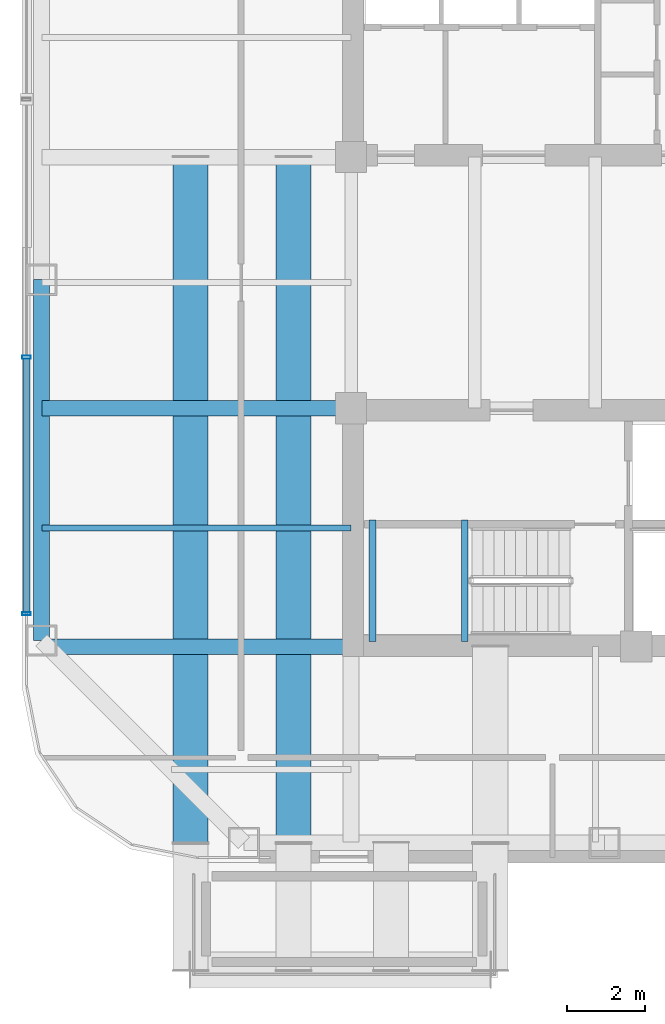
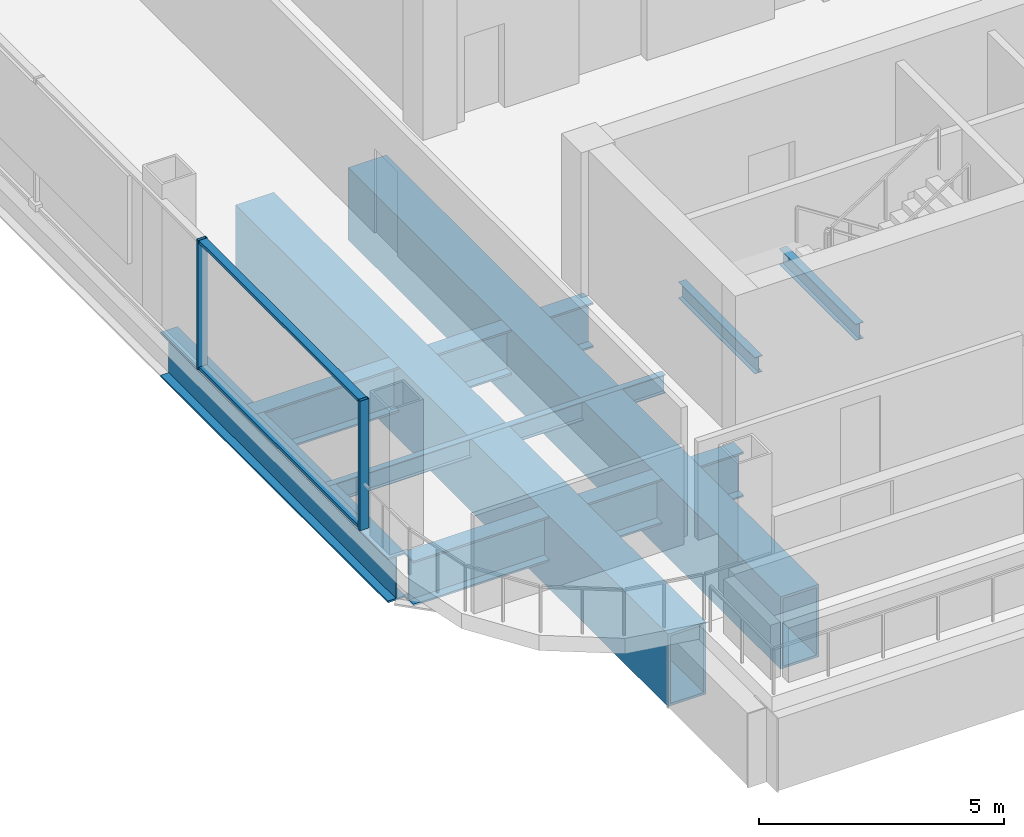
# One storey, part 2 of 20: 8 beams, 4 members, 1 element without a shape of its own.
"""IFC4 building model written with IfcOpenShell, lengths in metres."""

from ifc_helpers import new_model, si_unit, direction, frame, origin, origin_2d, place, context, subcontext, project, spatial, hollow_rectangle, i_section, extrude, material, layer, layer_set, material_profile, profile_set, type_object, element, aggregate, save


model = new_model("IFC4")

# Units and contexts
model_context = context("Model", 3, precision=1e-05, world=origin(), true_north=direction((0.0, 1.0)))
body_context = subcontext(model_context, "Body", "Model", "MODEL_VIEW")
ifc_project = project(units=[si_unit("LENGTHUNIT", "METRE"), si_unit("AREAUNIT", "SQUARE_METRE"), si_unit("VOLUMEUNIT", "CUBIC_METRE"), si_unit("PLANEANGLEUNIT", "RADIAN"), si_unit("MASSUNIT", "GRAM", prefix="KILO")], contexts=[model_context])

# Site, building, storey
site_placement = place(None, origin())
site = spatial("IfcSite", under=ifc_project, at=site_placement, CompositionType="ELEMENT")
building_placement = place(site_placement, origin())
building = spatial("IfcBuilding", under=site, at=building_placement, Name="Qhalaya Broadcast Tower", CompositionType="ELEMENT")
storey_placement = place(building_placement, frame((0.0, 0.0, 104.85009765625)))
storey = spatial("IfcBuildingStorey", under=building, at=storey_placement, Name="L30", CompositionType="ELEMENT", Elevation=104.85009765625)

# Beams
ifc_material_1 = material(Name="Structural Steel ASTM A572 Grade 50", Category="steel")
ifc_material_profile_1 = material_profile(ifc_material_1, hollow_rectangle(XDim=0.89990234375, YDim=1.800048828125, WallThickness=0.06005859375, at=origin_2d()), Name="BOX 900x1800x60")
ifc_profile_set_1 = profile_set([ifc_material_profile_1], Name="Structural Steel ASTM A572 Grade 50")
beam_type_1 = type_object("IfcBeamType", Name="Block Cantilever Transfer Box Girder TG1", PredefinedType="USERDEFINED", material=ifc_profile_set_1)
for number, where, z_axis, x_axis, name in (
    (1, (-13.5, -13.7900390625, -1.280029296875), (0.0, 1.0, 0.0), (-1.0, 0.0, 0.0), "L30 TG1 L30-SPB-BK-1"),
    (2, (-10.85009765625, -13.7900390625, -1.280029296875), (0.0, 1.0, 0.0), (-1.0, 0.0, 0.0), "L30 TG1 L30-SPB-BK-2"),
):
    element("IfcBeam", number, at=place(storey_placement, frame(where, z_axis=z_axis, x_axis=x_axis)), inside=storey, type_object=beam_type_1, Name=name, ObjectType="GIRDER", PredefinedType="USERDEFINED", context=body_context, shape_type="SweptSolid", body=[
        extrude(hollow_rectangle(XDim=0.89990234375, YDim=1.800048828125, WallThickness=0.06005859375, at=origin_2d()), origin(), (0.0, 0.0, 1.0), 17.614990234375),
    ])
ifc_material_2 = material(Name="Structural Steel ASTM A992 Grade 50", Category="steel")
ifc_material_profile_2 = material_profile(ifc_material_2, i_section(OverallWidth=0.154052734375, OverallDepth=0.458984375, WebThickness=0.009033203125, FlangeThickness=0.015380859375, at=origin_2d()), Name="W18X46")
ifc_profile_set_2 = profile_set([ifc_material_profile_2], Name="Structural Steel ASTM A992 Grade 50")
beam_type_2 = type_object("IfcBeamType", Name="Composite Floor Joist J04", PredefinedType="JOIST", material=ifc_profile_set_2)
beam_1_placement = place(storey_placement, frame((-17.31005859375, -5.699951171875, -0.609619140625), z_axis=(1.0, 0.0, 0.0), x_axis=(0.0, 1.0, 0.0)))
element("IfcBeam", 3, at=beam_1_placement, inside=storey, type_object=beam_type_2, Name="L30 J04 L30-JWE3W-1", PredefinedType="JOIST", context=body_context, shape_type="SweptSolid", body=[
    extrude(i_section(OverallWidth=0.154052734375, OverallDepth=0.458984375, WebThickness=0.009033203125, FlangeThickness=0.015380859375, at=origin_2d()), origin(), (0.0, 0.0, 1.0), 7.93505859375),
])
ifc_material_profile_3 = material_profile(ifc_material_2, i_section(OverallWidth=0.404052734375, OverallDepth=1.117919921875, WebThickness=0.026123046875, FlangeThickness=0.044921875, at=origin_2d()), Name="W44X335")
ifc_profile_set_3 = profile_set([ifc_material_profile_3], Name="Structural Steel ASTM A992 Grade 50")
beam_type_3 = type_object("IfcBeamType", Name="Podium Long-Span Primary Girder PG1", PredefinedType="USERDEFINED", material=ifc_profile_set_3)
beam_2_placement = place(storey_placement, frame((-17.330078125, 0.6767578125, -0.939208984375), z_axis=(0.0, -1.0, 0.0), x_axis=(1.0, 0.0, 0.0)))
element("IfcBeam", 4, at=beam_2_placement, inside=storey, type_object=beam_type_3, Name="L30 PG1 L30-SPR-15", ObjectType="GIRDER", PredefinedType="USERDEFINED", context=body_context, shape_type="SweptSolid", body=[
    extrude(i_section(OverallWidth=0.404052734375, OverallDepth=1.117919921875, WebThickness=0.026123046875, FlangeThickness=0.044921875, at=origin_2d()), origin(), (0.0, 0.0, 1.0), 9.266845703125),
])
beam_3_placement = place(storey_placement, frame((-17.1416015625, -8.75, -0.939208984375), z_axis=(1.0, 0.0, 0.0), x_axis=(0.0, 1.0, 0.0)))
element("IfcBeam", 5, at=beam_3_placement, inside=storey, type_object=beam_type_3, Name="L30 PG1 L30-PGYW1-1", ObjectType="GIRDER", PredefinedType="USERDEFINED", context=body_context, shape_type="SweptSolid", body=[
    extrude(i_section(OverallWidth=0.404052734375, OverallDepth=1.117919921875, WebThickness=0.026123046875, FlangeThickness=0.044921875, at=origin_2d()), origin(), (0.0, 0.0, 1.0), 7.7666015625),
])
beam_4_placement = place(storey_placement, frame((-17.31005859375, -2.625, -0.939208984375), z_axis=(1.0, 0.0, 0.0), x_axis=(0.0, 1.0, 0.0)))
element("IfcBeam", 6, at=beam_4_placement, inside=storey, type_object=beam_type_3, Name="L30 PG1 L30-PGYW2-1", ObjectType="GIRDER", PredefinedType="USERDEFINED", context=body_context, shape_type="SweptSolid", body=[
    extrude(i_section(OverallWidth=0.404052734375, OverallDepth=1.117919921875, WebThickness=0.026123046875, FlangeThickness=0.044921875, at=origin_2d()), origin(), (0.0, 0.0, 1.0), 7.93505859375),
])

# Curtain wall, members
ifc_material_3 = material(Name="Solar-Control Low-E Triple Glazing", Category="glass")
ifc_layer = layer(ifc_material_3, 0.219970703125, Name="Solar-Control Low-E Triple Glazing")
ifc_layer_set = layer_set([ifc_layer], Name="Solar-Control Low-E Triple Glazing")
curtain_wall_type = type_object("IfcCurtainWallType", Name="Recessed Sky-Garden Neck Ribbon Curtain Wall CW-05", PredefinedType="NOTDEFINED", material=ifc_layer_set)
curtain_wall_placement = place(storey_placement, origin())
curtain_wall = element("IfcCurtainWall", 7, at=curtain_wall_placement, inside=storey, type_object=curtain_wall_type, Name="L30 Unitised Curtain Wall L30-CW-W", PredefinedType="NOTDEFINED")
ifc_material_4 = material(Name="Anodised Aluminium 6063-T6", Category="aluminium")
ifc_material_profile_4 = material_profile(ifc_material_4, hollow_rectangle(XDim=0.074951171875, YDim=0.219970703125, WallThickness=0.00390625, at=origin_2d()), Name="ALU-MUL 75x220x4")
ifc_profile_set_4 = profile_set([ifc_material_profile_4], Name="Anodised Aluminium 6063-T6")
member_type_1 = type_object("IfcMemberType", Name="Unitised Curtain-Wall Mullion M01", PredefinedType="MULLION", material=ifc_profile_set_4)
member_1_placement = place(storey_placement, frame((-17.7099609375, -1.31494140625, 0.0), z_axis=(0.0, 0.0, 1.0), x_axis=(0.0, -1.0, 0.0)))
member_1 = element("IfcMember", 8, at=member_1_placement, type_object=member_type_1, Name="CW-05 mullion 4", PredefinedType="MULLION", context=body_context, shape_type="SweptSolid", body=[
    extrude(hollow_rectangle(XDim=0.074951171875, YDim=0.219970703125, WallThickness=0.00390625, at=origin_2d()), origin(), (0.0, 0.0, 1.0), 3.219970703125),
])
member_2_placement = place(storey_placement, frame((-17.7099609375, -7.902587890625, 0.0), z_axis=(0.0, 0.0, 1.0), x_axis=(0.0, -1.0, 0.0)))
member_2 = element("IfcMember", 9, at=member_2_placement, type_object=member_type_1, Name="CW-05 mullion 5", PredefinedType="MULLION", context=body_context, shape_type="SweptSolid", body=[
    extrude(hollow_rectangle(XDim=0.074951171875, YDim=0.219970703125, WallThickness=0.00390625, at=origin_2d()), origin(), (0.0, 0.0, 1.0), 3.219970703125),
])
ifc_material_profile_5 = material_profile(ifc_material_4, hollow_rectangle(XDim=0.074951171875, YDim=0.179931640625, WallThickness=0.00390625, at=origin_2d()), Name="ALU-TRN 75x180x4")
ifc_profile_set_5 = profile_set([ifc_material_profile_5], Name="Anodised Aluminium 6063-T6")
member_type_2 = type_object("IfcMemberType", Name="Unitised Curtain-Wall Transom T01", PredefinedType="USERDEFINED", material=ifc_profile_set_5)
member_3_placement = place(storey_placement, frame((-17.7099609375, -1.3525390625, 0.037353515625), z_axis=(0.0, -1.0, 0.0), x_axis=(0.0, 0.0, 1.0)))
member_3 = element("IfcMember", 10, at=member_3_placement, type_object=member_type_2, Name="CW-05 transom 4.1", ObjectType="TRANSOM", PredefinedType="USERDEFINED", context=body_context, shape_type="SweptSolid", body=[
    extrude(hollow_rectangle(XDim=0.074951171875, YDim=0.179931640625, WallThickness=0.00390625, at=origin_2d()), origin(), (0.0, 0.0, 1.0), 6.512451171875),
])
member_4_placement = place(storey_placement, frame((-17.7099609375, -1.3525390625, 3.182373046875), z_axis=(0.0, -1.0, 0.0), x_axis=(0.0, 0.0, 1.0)))
member_4 = element("IfcMember", 11, at=member_4_placement, type_object=member_type_2, Name="CW-05 transom 4.2", ObjectType="TRANSOM", PredefinedType="USERDEFINED", context=body_context, shape_type="SweptSolid", body=[
    extrude(hollow_rectangle(XDim=0.074951171875, YDim=0.179931640625, WallThickness=0.00390625, at=origin_2d()), origin(), (0.0, 0.0, 1.0), 6.512451171875),
])
aggregate(curtain_wall, [member_1, member_2, member_3, member_4])

# Beams
ifc_material_profile_6 = material_profile(ifc_material_2, i_section(OverallWidth=0.177978515625, OverallDepth=0.406005859375, WebThickness=0.0078125, FlangeThickness=0.0126953125, at=origin_2d()), Name="W16X40")
ifc_profile_set_6 = profile_set([ifc_material_profile_6], Name="Structural Steel ASTM A992 Grade 50")
beam_type_4 = type_object("IfcBeamType", Name="Upper Perimeter Spandrel Beam SP2", PredefinedType="SPANDREL", material=ifc_profile_set_6)
for number, where, z_axis, x_axis, name in (
    (12, (-8.830078125, -8.6201171875, 1.39697265625), (0.0, 1.0, 0.0), (-1.0, 0.0, 0.0), "L30 ST-2 Half-Landing Bearer Beam 1"),
    (13, (-6.455078125, -8.6201171875, 1.39697265625), (0.0, 1.0, 0.0), (-1.0, 0.0, 0.0), "L30 ST-2 Half-Landing Bearer Beam 2"),
):
    element("IfcBeam", number, at=place(storey_placement, frame(where, z_axis=z_axis, x_axis=x_axis)), inside=storey, type_object=beam_type_4, Name=name, PredefinedType="SPANDREL", context=body_context, shape_type="SweptSolid", body=[
        extrude(i_section(OverallWidth=0.177978515625, OverallDepth=0.406005859375, WebThickness=0.0078125, FlangeThickness=0.0126953125, at=origin_2d()), origin(), (0.0, 0.0, 1.0), 3.1201171875),
    ])

save(model, "model.ifc")
